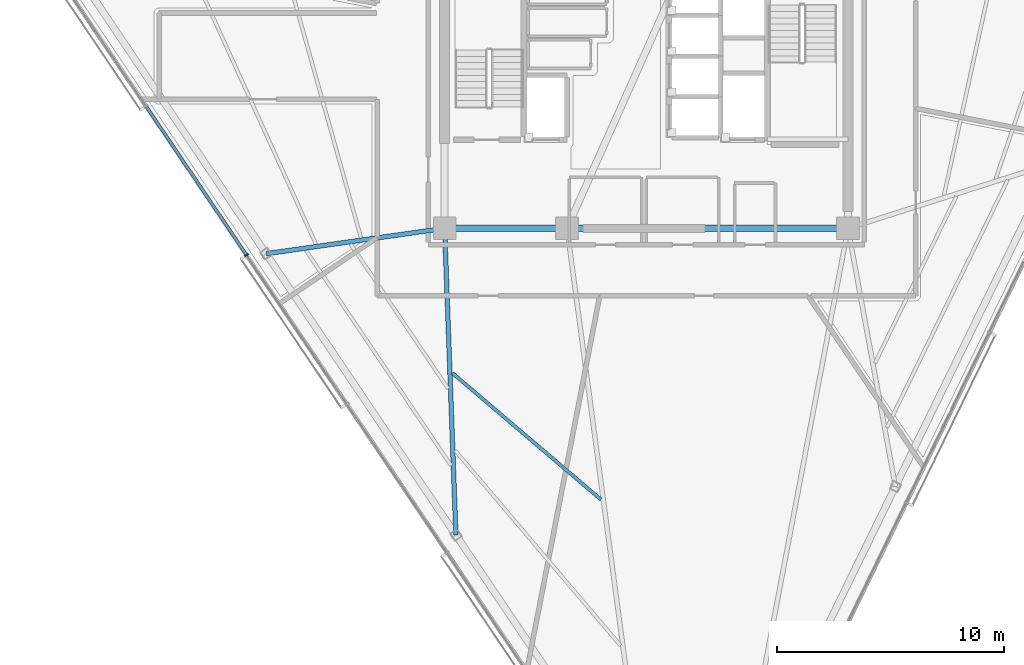
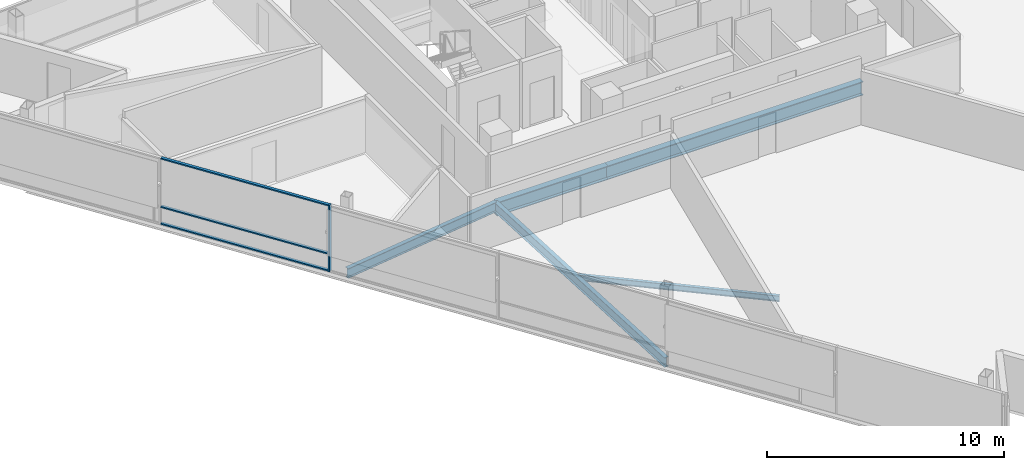
# One storey, part 3 of 16: 5 beams, 4 members, 1 element without a shape of its own.
"""IFC4 building model written with IfcOpenShell, lengths in metres."""

from ifc_helpers import new_model, si_unit, direction, frame, origin, origin_2d, place, context, subcontext, project, spatial, rectangle, i_section, extrude, material, layer, layer_set, material_profile, profile_set, type_object, element, aggregate, save


model = new_model("IFC4")

# Units and contexts
model_context = context("Model", 3, precision=1e-05, world=origin(), true_north=direction((0.0, 1.0)))
body_context = subcontext(model_context, "Body", "Model", "MODEL_VIEW")
ifc_project = project(units=[si_unit("LENGTHUNIT", "METRE"), si_unit("AREAUNIT", "SQUARE_METRE"), si_unit("VOLUMEUNIT", "CUBIC_METRE"), si_unit("PLANEANGLEUNIT", "RADIAN"), si_unit("MASSUNIT", "GRAM", prefix="KILO")], contexts=[model_context])

# Site, building, storey
site_placement = place(None, origin())
site = spatial("IfcSite", under=ifc_project, at=site_placement, CompositionType="ELEMENT")
building_placement = place(site_placement, origin())
building = spatial("IfcBuilding", under=site, at=building_placement, Name="Tharavind Bronze Gate", CompositionType="ELEMENT")
storey_placement = place(building_placement, frame((0.0, 0.0, 264.199951171875)))
storey = spatial("IfcBuildingStorey", under=building, at=storey_placement, Name="L68", CompositionType="ELEMENT", Elevation=264.199951171875)

# Curtain wall, members
ifc_material_1 = material(Name="Anodised Bronze Aluminium", Category="aluminium")
ifc_layer = layer(ifc_material_1, 0.219970703125)
ifc_layer_set = layer_set([ifc_layer], Name="Anodised Bronze Aluminium")
curtain_wall_type = type_object("IfcCurtainWallType", Name="UNITISED CURTAIN WALL UPPER OFFICE", PredefinedType="USERDEFINED", material=ifc_layer_set)
curtain_wall_placement = place(storey_placement, origin())
curtain_wall = element("IfcCurtainWall", 1, at=curtain_wall_placement, inside=storey, type_object=curtain_wall_type, Name="L68 unitised curtain wall upper office CW-L68-S1", ObjectType="UNITISED CURTAIN WALL", PredefinedType="USERDEFINED")
member_type_1 = type_object("IfcMemberType", Name="CURTAIN WALL BRONZE MULLION 65X180", PredefinedType="MULLION", material=ifc_material_1)
member_1_placement = place(storey_placement, frame((-17.639892578125, -8.7802734375, 0.0), z_axis=(0.0, 0.0, 1.0), x_axis=(0.559191456526, -0.82903854853, 0.0)))
member_1 = element("IfcMember", 2, at=member_1_placement, type_object=member_type_1, Name="CW-L68-S1 mullion 3", PredefinedType="MULLION", context=body_context, shape_type="SweptSolid", body=[
    extrude(rectangle(XDim=0.06494140625, YDim=0.179931640625, at=origin_2d()), origin(), (0.0, 0.0, 1.0), 3.419921875),
])
member_type_2 = type_object("IfcMemberType", Name="CURTAIN WALL BRONZE TRANSOM 65X140", PredefinedType="USERDEFINED", material=ifc_material_1)
member_2_placement = place(storey_placement, frame((-19.8544921875, -5.497314453125, 0.0), z_axis=(0.0, 0.0, 1.0), x_axis=(0.559191456526, -0.82903854853, 0.0)))
member_2 = element("IfcMember", 3, at=member_2_placement, type_object=member_type_2, Name="CW-L68-S1 transom TB2", ObjectType="TRANSOM", PredefinedType="USERDEFINED", context=body_context, shape_type="SweptSolid", body=[
    extrude(rectangle(XDim=7.8671875, YDim=0.139892578125, at=origin_2d()), origin(), (0.0, 0.0, 1.0), 0.06494140625),
])
member_3_placement = place(storey_placement, frame((-19.8544921875, -5.497314453125, 0.86767578125), z_axis=(0.0, 0.0, 1.0), x_axis=(0.559191456526, -0.82903854853, 0.0)))
member_3 = element("IfcMember", 4, at=member_3_placement, type_object=member_type_2, Name="CW-L68-S1 transom TS2", ObjectType="TRANSOM", PredefinedType="USERDEFINED", context=body_context, shape_type="SweptSolid", body=[
    extrude(rectangle(XDim=7.8671875, YDim=0.139892578125, at=origin_2d()), origin(), (0.0, 0.0, 1.0), 0.06494140625),
])
member_4_placement = place(storey_placement, frame((-19.8544921875, -5.497314453125, 3.35498046875), z_axis=(0.0, 0.0, 1.0), x_axis=(0.559191456526, -0.82903854853, 0.0)))
member_4 = element("IfcMember", 5, at=member_4_placement, type_object=member_type_2, Name="CW-L68-S1 transom TT2", ObjectType="TRANSOM", PredefinedType="USERDEFINED", context=body_context, shape_type="SweptSolid", body=[
    extrude(rectangle(XDim=7.8671875, YDim=0.139892578125, at=origin_2d()), origin(), (0.0, 0.0, 1.0), 0.06494140625),
])
aggregate(curtain_wall, [member_1, member_2, member_3, member_4])

# Beams
ifc_material_2 = material(Name="Steel S355", Category="steel")
ifc_material_profile_1 = material_profile(ifc_material_2, i_section(OverallWidth=0.199951171875, OverallDepth=0.5, WebThickness=0.01025390625, FlangeThickness=0.01611328125, at=origin_2d()), Name="IPE500")
ifc_profile_set_1 = profile_set([ifc_material_profile_1], Name="Steel S355")
beam_type_1 = type_object("IfcBeamType", Name="PRIMARY GIRDER IPE500", PredefinedType="USERDEFINED", material=ifc_profile_set_1)
beam_1_placement = place(storey_placement, frame((-16.776123046875, -8.719970703125, -0.429931640625), z_axis=(0.99004257138, 0.14076827361, 0.0), x_axis=(-0.14076827361, 0.99004257138, 0.0)))
element("IfcBeam", 6, at=beam_1_placement, inside=storey, type_object=beam_type_1, Name="L68 primary girder ipe500 BM-L68-RAD02", ObjectType="GIRDER", PredefinedType="USERDEFINED", context=body_context, shape_type="SweptSolid", body=[
    extrude(i_section(OverallWidth=0.199951171875, OverallDepth=0.5, WebThickness=0.01025390625, FlangeThickness=0.01611328125, at=origin_2d()), origin(), (0.0, 0.0, 1.0), 7.955322265625),
])
beam_2_placement = place(storey_placement, frame((-8.40234375, -21.134521484375, -0.429931640625), z_axis=(-0.036737634404, 0.99932494526, 0.0), x_axis=(-0.99932494526, -0.036737634404, 0.0)))
element("IfcBeam", 7, at=beam_2_placement, inside=storey, type_object=beam_type_1, Name="L68 primary girder ipe500 BM-L68-RAD03", ObjectType="GIRDER", PredefinedType="USERDEFINED", context=body_context, shape_type="SweptSolid", body=[
    extrude(i_section(OverallWidth=0.199951171875, OverallDepth=0.5, WebThickness=0.01025390625, FlangeThickness=0.01611328125, at=origin_2d()), origin(), (0.0, 0.0, 1.0), 13.54345703125),
])
ifc_material_profile_2 = material_profile(ifc_material_2, i_section(OverallWidth=0.300048828125, OverallDepth=0.699951171875, WebThickness=0.01708984375, FlangeThickness=0.031982421875, at=origin_2d()), Name="HE700B")
ifc_profile_set_2 = profile_set([ifc_material_profile_2], Name="Steel S355")
beam_type_2 = type_object("IfcBeamType", Name="RING GIRDER HE700B", PredefinedType="USERDEFINED", material=ifc_profile_set_2)
beam_3_placement = place(storey_placement, frame((-8.89990234375, -7.60009765625, -0.530029296875), z_axis=(1.0, 0.0, 0.0), x_axis=(0.0, 1.0, 0.0)))
element("IfcBeam", 8, at=beam_3_placement, inside=storey, type_object=beam_type_2, Name="L68 ring girder he700b BM-L68-CR1", ObjectType="GIRDER", PredefinedType="USERDEFINED", context=body_context, shape_type="SweptSolid", body=[
    extrude(i_section(OverallWidth=0.300048828125, OverallDepth=0.699951171875, WebThickness=0.01708984375, FlangeThickness=0.031982421875, at=origin_2d()), origin(), (0.0, 0.0, 1.0), 5.39990234375),
])
beam_4_placement = place(storey_placement, frame((-3.5, -7.60009765625, -0.530029296875), z_axis=(1.0, 0.0, 0.0), x_axis=(0.0, 1.0, 0.0)))
element("IfcBeam", 9, at=beam_4_placement, inside=storey, type_object=beam_type_2, Name="L68 ring girder he700b BM-L68-CR2", ObjectType="GIRDER", PredefinedType="USERDEFINED", context=body_context, shape_type="SweptSolid", body=[
    extrude(i_section(OverallWidth=0.300048828125, OverallDepth=0.699951171875, WebThickness=0.01708984375, FlangeThickness=0.031982421875, at=origin_2d()), origin(), (0.0, 0.0, 1.0), 12.39990234375),
])
ifc_material_profile_3 = material_profile(ifc_material_2, i_section(OverallWidth=0.14990234375, OverallDepth=0.300048828125, WebThickness=0.007080078125, FlangeThickness=0.0107421875, at=origin_2d()), Name="IPE300")
ifc_profile_set_3 = profile_set([ifc_material_profile_3], Name="Steel S355")
beam_type_3 = type_object("IfcBeamType", Name="SECONDARY FLOOR JOIST IPE300", PredefinedType="JOIST", material=ifc_profile_set_3)
beam_5_placement = place(storey_placement, frame((-8.562255859375, -13.98388671875, -0.329833984375), z_axis=(0.761516768495, -0.648145208499, 0.0), x_axis=(0.648145208499, 0.761516768495, 0.0)))
element("IfcBeam", 10, at=beam_5_placement, inside=storey, type_object=beam_type_3, Name="L68 secondary floor joist ipe300 BM-L68-JSTA03", PredefinedType="JOIST", context=body_context, shape_type="SweptSolid", body=[
    extrude(i_section(OverallWidth=0.14990234375, OverallDepth=0.300048828125, WebThickness=0.007080078125, FlangeThickness=0.0107421875, at=origin_2d()), origin(), (0.0, 0.0, 1.0), 8.61376953125),
])

save(model, "model.ifc")
